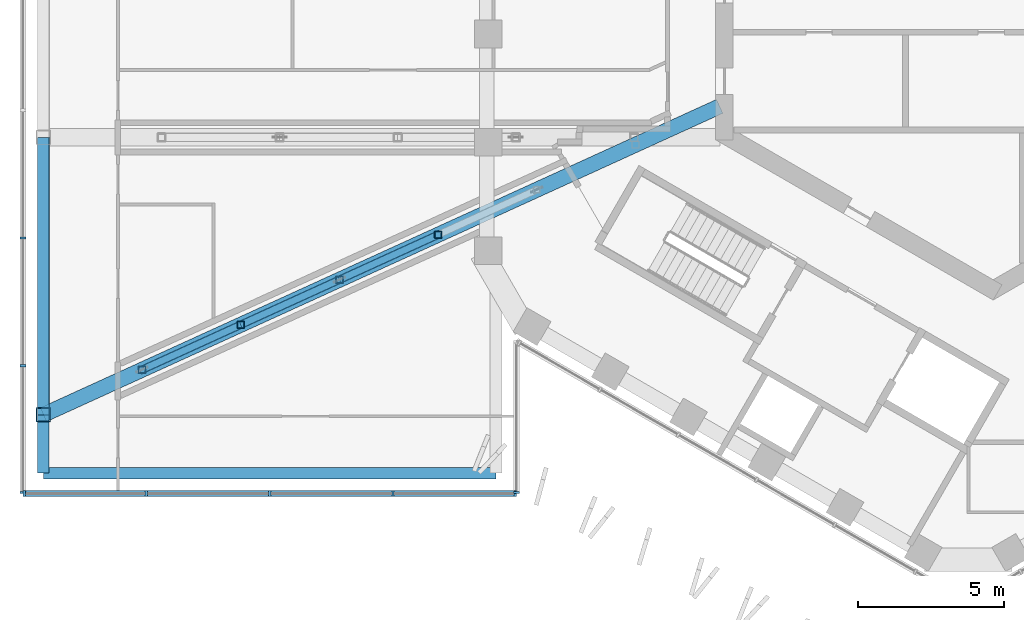
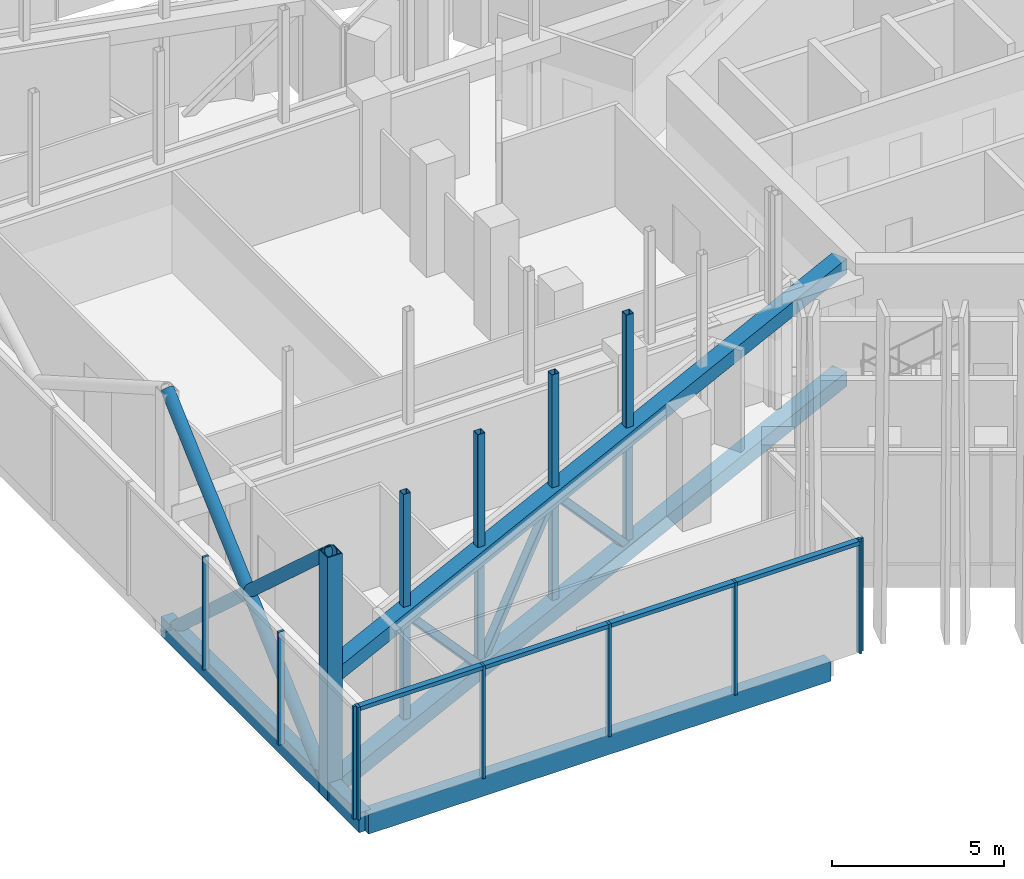
# One storey, part 2 of 28: 26 members, 3 beams, 3 elements without a shape of their own.
"""IFC4 building model written with IfcOpenShell, lengths in metres."""

from ifc_helpers import new_model, si_unit, direction, frame, origin, origin_2d, place, context, subcontext, project, spatial, rectangle, hollow_rectangle, hollow_circle, extrude, material, layer, layer_set, material_profile, profile_set, type_object, element, aggregate, save


model = new_model("IFC4")

# Units and contexts
model_context = context("Model", 3, precision=1e-05, world=origin(), true_north=direction((0.0, 1.0)))
body_context = subcontext(model_context, "Body", "Model", "MODEL_VIEW")
ifc_project = project(units=[si_unit("LENGTHUNIT", "METRE"), si_unit("AREAUNIT", "SQUARE_METRE"), si_unit("VOLUMEUNIT", "CUBIC_METRE"), si_unit("PLANEANGLEUNIT", "RADIAN"), si_unit("MASSUNIT", "GRAM", prefix="KILO")], contexts=[model_context])

# Site, building, storey
site_placement = place(None, origin())
site = spatial("IfcSite", under=ifc_project, at=site_placement, CompositionType="ELEMENT")
building_placement = place(site_placement, origin())
building = spatial("IfcBuilding", under=site, at=building_placement, Name="Ayvan Gate Tower", CompositionType="ELEMENT")
storey_placement = place(building_placement, frame((0.0, 0.0, 202.10009765625)))
storey = spatial("IfcBuildingStorey", under=building, at=storey_placement, Name="L54", CompositionType="ELEMENT", Elevation=202.10009765625)

# Beams
ifc_material_1 = material(Name="Concrete C40/50", Category="concrete")
ifc_material_profile_1 = material_profile(ifc_material_1, rectangle(XDim=0.39990234375, YDim=0.699951171875, at=origin_2d()), Name="RC 400x700")
ifc_profile_set_1 = profile_set([ifc_material_profile_1], Name="Concrete C40/50")
beam_type = type_object("IfcBeamType", Name="Sky bar edge beam RC 400x700 C40/50", PredefinedType="BEAM", material=ifc_profile_set_1)
beam_1_placement = place(storey_placement, frame((-17.024169921875, -16.89990234375, -0.75), z_axis=(-1.0, 0.0, 0.0), x_axis=(0.0, -1.0, 0.0)))
element("IfcBeam", 1, at=beam_1_placement, inside=storey, type_object=beam_type, Name="EB-B5-L54-2", PredefinedType="BEAM", context=body_context, shape_type="SweptSolid", body=[
    extrude(rectangle(XDim=0.39990234375, YDim=0.699951171875, at=origin_2d()), origin(), (0.0, 0.0, 1.0), 15.5),
])
beam_2_placement = place(storey_placement, frame((-32.524169921875, -16.89990234375, -0.75), z_axis=(0.0, 1.0, 0.0), x_axis=(-1.0, 0.0, 0.0)))
element("IfcBeam", 2, at=beam_2_placement, inside=storey, type_object=beam_type, Name="EB-B5-L54-3", PredefinedType="BEAM", context=body_context, shape_type="SweptSolid", body=[
    extrude(rectangle(XDim=0.39990234375, YDim=0.699951171875, at=origin_2d()), origin(), (0.0, 0.0, 1.0), 2.0),
])
beam_3_placement = place(storey_placement, frame((-32.524169921875, -14.89990234375, -0.75), z_axis=(0.0, 1.0, 0.0), x_axis=(-1.0, 0.0, 0.0)))
element("IfcBeam", 3, at=beam_3_placement, inside=storey, type_object=beam_type, Name="EB-B5-L54-4", PredefinedType="BEAM", context=body_context, shape_type="SweptSolid", body=[
    extrude(rectangle(XDim=0.39990234375, YDim=0.699951171875, at=origin_2d()), origin(), (0.0, 0.0, 1.0), 9.5),
])

# Members
ifc_material_2 = material(Name="Steel S460NH", Category="steel")
ifc_material_profile_2 = material_profile(ifc_material_2, hollow_rectangle(XDim=0.260009765625, YDim=0.260009765625, WallThickness=0.01611328125, InnerFilletRadius=0.01611328125, OuterFilletRadius=0.02392578125, at=origin_2d()), Name="RHS 260x260x16")
ifc_profile_set_2 = profile_set([ifc_material_profile_2], Name="Steel S460NH")
member_type_1 = type_object("IfcMemberType", Name="Sky bar end truss brace B5 RHS 260x260x16", PredefinedType="BRACE", material=ifc_profile_set_2)
for number, where, z_axis, x_axis, name in (
    (4, (-19.00537109375, -8.73486328125, -0.7001953125), (-0.61912850505, -0.282349075517, 0.732774790634), (0.414931682057, -0.909852570049, 0.0), "SBT5-4-D-4"),
    (5, (-22.385009765625, -10.276123046875, 3.2998046875), (-0.619156084928, -0.282341257162, -0.732754499816), (0.414906869864, -0.909863885062, 0.0), "SBT5-4-D-5"),
    (6, (-25.764892578125, -11.8173828125, -0.7001953125), (-0.61912850505, -0.282349075517, 0.732774790634), (0.414931682057, -0.909852570049, 0.0), "SBT5-4-D-6"),
):
    element("IfcMember", number, at=place(storey_placement, frame(where, z_axis=z_axis, x_axis=x_axis)), inside=storey, type_object=member_type_1, Name=name, PredefinedType="BRACE", context=body_context, shape_type="SweptSolid", body=[
        extrude(hollow_rectangle(XDim=0.260009765625, YDim=0.260009765625, WallThickness=0.01611328125, InnerFilletRadius=0.01611328125, OuterFilletRadius=0.02392578125, at=origin_2d()), origin(), (0.0, 0.0, 1.0), 5.458740234375),
    ])
ifc_material_3 = material(Name="Steel S460ML", Category="steel")
ifc_material_profile_3 = material_profile(ifc_material_3, hollow_rectangle(XDim=0.52001953125, YDim=0.52001953125, WallThickness=0.030029296875, at=origin_2d()), Name="BOX 520x520x30")
ifc_profile_set_3 = profile_set([ifc_material_profile_3], Name="Steel S460ML")
member_type_2 = type_object("IfcMemberType", Name="Sky bar end truss chord B5 BOX 520x520x30", PredefinedType="CHORD", material=ifc_profile_set_3)
for number, where, z_axis, x_axis, name in (
    (7, (-9.363525390625, -4.337646484375, -0.7001953125), (-0.909852399771, -0.414932055439, 0.0), (0.414932055439, -0.909852399771, 0.0), "SBT5-4-BC-1"),
    (8, (-9.363525390625, -4.337646484375, 3.2998046875), (-0.909852399771, -0.414932055439, 0.0), (0.414932055439, -0.909852399771, 0.0), "SBT5-4-TC-1"),
):
    element("IfcMember", number, at=place(storey_placement, frame(where, z_axis=z_axis, x_axis=x_axis)), inside=storey, type_object=member_type_2, Name=name, PredefinedType="CHORD", context=body_context, shape_type="SweptSolid", body=[
        extrude(hollow_rectangle(XDim=0.52001953125, YDim=0.52001953125, WallThickness=0.030029296875, at=origin_2d()), origin(), (0.0, 0.0, 1.0), 25.455322265625),
    ])
ifc_material_profile_4 = material_profile(ifc_material_2, hollow_rectangle(XDim=0.239990234375, YDim=0.239990234375, WallThickness=0.012451171875, InnerFilletRadius=0.012451171875, OuterFilletRadius=0.018798828125, at=origin_2d()), Name="RHS 240x240x12.5")
ifc_profile_set_4 = profile_set([ifc_material_profile_4], Name="Steel S460NH")
member_type_3 = type_object("IfcMemberType", Name="Sky bar end truss post B5 RHS 240x240x12.5", PredefinedType="POST", material=ifc_profile_set_4)
for number, where, z_axis, x_axis, name in (
    (9, (-19.00537109375, -8.73486328125, -0.400146484375), (0.0, 0.0, 1.0), (1.0, 0.0, 0.0), "SBT5-4-P-3"),
    (10, (-22.385009765625, -10.276123046875, -0.400146484375), (0.0, 0.0, 1.0), (1.0, 0.0, 0.0), "SBT5-4-P-4"),
    (11, (-25.764892578125, -11.8173828125, -0.400146484375), (0.0, 0.0, 1.0), (1.0, 0.0, 0.0), "SBT5-4-P-5"),
    (12, (-29.14453125, -13.358642578125, -0.400146484375), (0.0, 0.0, 1.0), (1.0, 0.0, 0.0), "SBT5-4-P-6"),
):
    element("IfcMember", number, at=place(storey_placement, frame(where, z_axis=z_axis, x_axis=x_axis)), inside=storey, type_object=member_type_3, Name=name, PredefinedType="POST", context=body_context, shape_type="SweptSolid", body=[
        extrude(hollow_rectangle(XDim=0.239990234375, YDim=0.239990234375, WallThickness=0.012451171875, InnerFilletRadius=0.012451171875, OuterFilletRadius=0.018798828125, at=origin_2d()), origin(), (0.0, 0.0, 1.0), 3.400146484375),
    ])
ifc_material_profile_5 = material_profile(ifc_material_3, hollow_rectangle(XDim=0.5, YDim=0.5, WallThickness=0.030029296875, at=origin_2d()), Name="BOX 500x500x30")
ifc_profile_set_5 = profile_set([ifc_material_profile_5], Name="Steel S460ML")
member_type_4 = type_object("IfcMemberType", Name="Sky bar end wall post BOX 500x500x30", PredefinedType="POST", material=ifc_profile_set_5)
member_1_placement = place(storey_placement, frame((-32.524169921875, -14.89990234375, -1.0), z_axis=(0.0, 0.0, 1.0), x_axis=(1.0, 0.0, 0.0)))
element("IfcMember", 13, at=member_1_placement, inside=storey, type_object=member_type_4, Name="EXO-B5-P4", PredefinedType="POST", context=body_context, shape_type="SweptSolid", body=[
    extrude(hollow_rectangle(XDim=0.5, YDim=0.5, WallThickness=0.030029296875, at=origin_2d()), origin(), (0.0, 0.0, 1.0), 8.599853515625),
])
ifc_material_profile_6 = material_profile(ifc_material_2, hollow_circle(Radius=0.203125, WallThickness=0.01611328125, at=origin_2d()), Name="CHS 406.4x16")
ifc_profile_set_6 = profile_set([ifc_material_profile_6], Name="Steel S460NH")
member_type_5 = type_object("IfcMemberType", Name="Sky bar exoskeleton brace CHS 406.4x16", PredefinedType="BRACE", material=ifc_profile_set_6)
for number, where, z_axis, x_axis, name in (
    (14, (-32.524169921875, -5.39990234375, -1.0), (0.0, -0.74135656286, 0.671111351941), (1.0, 0.0, 0.0), "EXO-B5-D3A"),
    (15, (-32.524169921875, -14.89990234375, -1.0), (0.0, 0.74135656286, 0.671111351941), (-1.0, 0.0, 0.0), "EXO-B5-D3B"),
):
    element("IfcMember", number, at=place(storey_placement, frame(where, z_axis=z_axis, x_axis=x_axis)), inside=storey, type_object=member_type_5, Name=name, PredefinedType="BRACE", context=body_context, shape_type="SweptSolid", body=[
        extrude(hollow_circle(Radius=0.203125, WallThickness=0.01611328125, at=origin_2d()), origin(), (0.0, 0.0, 1.0), 12.814453125),
    ])
ifc_material_profile_7 = material_profile(ifc_material_2, hollow_rectangle(XDim=0.25, YDim=0.25, WallThickness=0.012451171875, InnerFilletRadius=0.012451171875, OuterFilletRadius=0.018798828125, at=origin_2d()), Name="RHS 250x250x12.5")
ifc_profile_set_7 = profile_set([ifc_material_profile_7], Name="Steel S460NH")
member_type_6 = type_object("IfcMemberType", Name="Sky bar upper post B5 RHS 250x250x12.5", PredefinedType="POST", material=ifc_profile_set_7)
for number, where, z_axis, x_axis, name in (
    (16, (-19.00537109375, -8.73486328125, 3.599853515625), (0.0, 0.0, 1.0), (1.0, 0.0, 0.0), "SBT5-4-U-3"),
    (17, (-22.385009765625, -10.276123046875, 3.599853515625), (0.0, 0.0, 1.0), (1.0, 0.0, 0.0), "SBT5-4-U-4"),
    (18, (-25.764892578125, -11.8173828125, 3.599853515625), (0.0, 0.0, 1.0), (1.0, 0.0, 0.0), "SBT5-4-U-5"),
    (19, (-29.14453125, -13.358642578125, 3.599853515625), (0.0, 0.0, 1.0), (1.0, 0.0, 0.0), "SBT5-4-U-6"),
):
    element("IfcMember", number, at=place(storey_placement, frame(where, z_axis=z_axis, x_axis=x_axis)), inside=storey, type_object=member_type_6, Name=name, PredefinedType="POST", context=body_context, shape_type="SweptSolid", body=[
        extrude(hollow_rectangle(XDim=0.25, YDim=0.25, WallThickness=0.012451171875, InnerFilletRadius=0.012451171875, OuterFilletRadius=0.018798828125, at=origin_2d()), origin(), (0.0, 0.0, 1.0), 4.0),
    ])

# Curtain wall, members
ifc_material_4 = material(Name="Bronze anodised aluminium", Category="aluminium")
ifc_layer = layer(ifc_material_4, 0.199951171875)
ifc_layer_set = layer_set([ifc_layer], Name="Bronze anodised aluminium")
curtain_wall_type = type_object("IfcCurtainWallType", Name="Stick curtain wall CW-4", PredefinedType="NOTDEFINED", material=ifc_layer_set)
curtain_wall_1_placement = place(storey_placement, origin())
curtain_wall_1 = element("IfcCurtainWall", 20, at=curtain_wall_1_placement, inside=storey, type_object=curtain_wall_type, Name="Stick curtain wall CW-4 L54", PredefinedType="NOTDEFINED")
ifc_material_profile_8 = material_profile(ifc_material_4, rectangle(XDim=0.199951171875, YDim=0.080078125, at=origin_2d()), Name="Stick curtain wall CW-4 mullion 200 x 80")
ifc_profile_set_8 = profile_set([ifc_material_profile_8], Name="Bronze anodised aluminium")
member_type_7 = type_object("IfcMemberType", Name="Stick curtain wall CW-4 mullion 200 x 80", PredefinedType="MULLION", material=ifc_profile_set_8)
member_2_placement = place(storey_placement, frame((-33.224365234375, -8.844482421875, 0.0), z_axis=(0.0, 0.0, 1.0), x_axis=(-1.0, 0.0, 0.0)))
member_2 = element("IfcMember", 21, at=member_2_placement, type_object=member_type_7, Name="CW-4 mullion 8", PredefinedType="MULLION", context=body_context, shape_type="SweptSolid", body=[
    extrude(rectangle(XDim=0.199951171875, YDim=0.080078125, at=origin_2d()), origin(), (0.0, 0.0, 1.0), 4.0),
])
member_3_placement = place(storey_placement, frame((-33.224365234375, -13.22216796875, 0.0), z_axis=(0.0, 0.0, 1.0), x_axis=(-1.0, 0.0, 0.0)))
member_3 = element("IfcMember", 22, at=member_3_placement, type_object=member_type_7, Name="CW-4 mullion 9", PredefinedType="MULLION", context=body_context, shape_type="SweptSolid", body=[
    extrude(rectangle(XDim=0.199951171875, YDim=0.080078125, at=origin_2d()), origin(), (0.0, 0.0, 1.0), 4.0),
])
member_4_placement = place(storey_placement, frame((-33.224365234375, -17.56005859375, 0.0), z_axis=(0.0, 0.0, 1.0), x_axis=(-1.0, 0.0, 0.0)))
member_4 = element("IfcMember", 23, at=member_4_placement, type_object=member_type_7, Name="CW-4 mullion 10", PredefinedType="MULLION", context=body_context, shape_type="SweptSolid", body=[
    extrude(rectangle(XDim=0.199951171875, YDim=0.080078125, at=origin_2d()), origin(), (0.0, 0.0, 1.0), 4.0),
])
aggregate(curtain_wall_1, [member_2, member_3, member_4])

curtain_wall_2_placement = place(storey_placement, origin())
curtain_wall_2 = element("IfcCurtainWall", 24, at=curtain_wall_2_placement, inside=storey, type_object=curtain_wall_type, Name="Stick curtain wall CW-4 L54", PredefinedType="NOTDEFINED")
member_5_placement = place(storey_placement, frame((-33.184326171875, -17.60009765625, 0.0), z_axis=(0.0, 0.0, 1.0), x_axis=(0.0, -1.0, 0.0)))
member_5 = element("IfcMember", 25, at=member_5_placement, type_object=member_type_7, Name="CW-4 mullion 1", PredefinedType="MULLION", context=body_context, shape_type="SweptSolid", body=[
    extrude(rectangle(XDim=0.199951171875, YDim=0.080078125, at=origin_2d()), origin(), (0.0, 0.0, 1.0), 4.0),
])
member_6_placement = place(storey_placement, frame((-28.999267578125, -17.60009765625, 0.0), z_axis=(0.0, 0.0, 1.0), x_axis=(0.0, -1.0, 0.0)))
member_6 = element("IfcMember", 26, at=member_6_placement, type_object=member_type_7, Name="CW-4 mullion 2", PredefinedType="MULLION", context=body_context, shape_type="SweptSolid", body=[
    extrude(rectangle(XDim=0.199951171875, YDim=0.080078125, at=origin_2d()), origin(), (0.0, 0.0, 1.0), 4.0),
])
member_7_placement = place(storey_placement, frame((-24.774169921875, -17.60009765625, 0.0), z_axis=(0.0, 0.0, 1.0), x_axis=(0.0, -1.0, 0.0)))
member_7 = element("IfcMember", 27, at=member_7_placement, type_object=member_type_7, Name="CW-4 mullion 3", PredefinedType="MULLION", context=body_context, shape_type="SweptSolid", body=[
    extrude(rectangle(XDim=0.199951171875, YDim=0.080078125, at=origin_2d()), origin(), (0.0, 0.0, 1.0), 4.0),
])
member_8_placement = place(storey_placement, frame((-20.54931640625, -17.60009765625, 0.0), z_axis=(0.0, 0.0, 1.0), x_axis=(0.0, -1.0, 0.0)))
member_8 = element("IfcMember", 28, at=member_8_placement, type_object=member_type_7, Name="CW-4 mullion 4", PredefinedType="MULLION", context=body_context, shape_type="SweptSolid", body=[
    extrude(rectangle(XDim=0.199951171875, YDim=0.080078125, at=origin_2d()), origin(), (0.0, 0.0, 1.0), 4.0),
])
member_9_placement = place(storey_placement, frame((-16.3642578125, -17.60009765625, 0.0), z_axis=(0.0, 0.0, 1.0), x_axis=(0.0, -1.0, 0.0)))
member_9 = element("IfcMember", 29, at=member_9_placement, type_object=member_type_7, Name="CW-4 mullion 5", PredefinedType="MULLION", context=body_context, shape_type="SweptSolid", body=[
    extrude(rectangle(XDim=0.199951171875, YDim=0.080078125, at=origin_2d()), origin(), (0.0, 0.0, 1.0), 4.0),
])

# Curtain wall, member
curtain_wall_3_placement = place(storey_placement, origin())
curtain_wall_3 = element("IfcCurtainWall", 30, at=curtain_wall_3_placement, inside=storey, type_object=curtain_wall_type, Name="Stick curtain wall CW-4 L54", PredefinedType="NOTDEFINED")
member_10_placement = place(storey_placement, frame((-16.32421875, -17.56005859375, 0.0), z_axis=(0.0, 0.0, 1.0), x_axis=(1.0, 0.0, 0.0)))
member_10 = element("IfcMember", 31, at=member_10_placement, type_object=member_type_7, Name="CW-4 mullion 1", PredefinedType="MULLION", context=body_context, shape_type="SweptSolid", body=[
    extrude(rectangle(XDim=0.199951171875, YDim=0.080078125, at=origin_2d()), origin(), (0.0, 0.0, 1.0), 4.0),
])
aggregate(curtain_wall_3, [member_10])

# Member
ifc_material_profile_9 = material_profile(ifc_material_4, rectangle(XDim=0.199951171875, YDim=0.139892578125, at=origin_2d()), Name="Stick curtain wall CW-4 transom 200 x 140")
ifc_profile_set_9 = profile_set([ifc_material_profile_9], Name="Bronze anodised aluminium")
member_type_8 = type_object("IfcMemberType", Name="Stick curtain wall CW-4 transom 200 x 140", PredefinedType="USERDEFINED", material=ifc_profile_set_9)
member_11_placement = place(storey_placement, frame((-33.184326171875, -17.60009765625, 3.929931640625), z_axis=(1.0, 0.0, 0.0), x_axis=(0.0, 1.0, 0.0)))
member_11 = element("IfcMember", 32, at=member_11_placement, type_object=member_type_8, Name="CW-4 transom 1", ObjectType="TRANSOM", PredefinedType="USERDEFINED", context=body_context, shape_type="SweptSolid", body=[
    extrude(rectangle(XDim=0.199951171875, YDim=0.139892578125, at=origin_2d()), origin(), (0.0, 0.0, 1.0), 16.820068359375),
])

aggregate(curtain_wall_2, [member_5, member_6, member_7, member_8, member_9, member_11])

save(model, "model.ifc")
